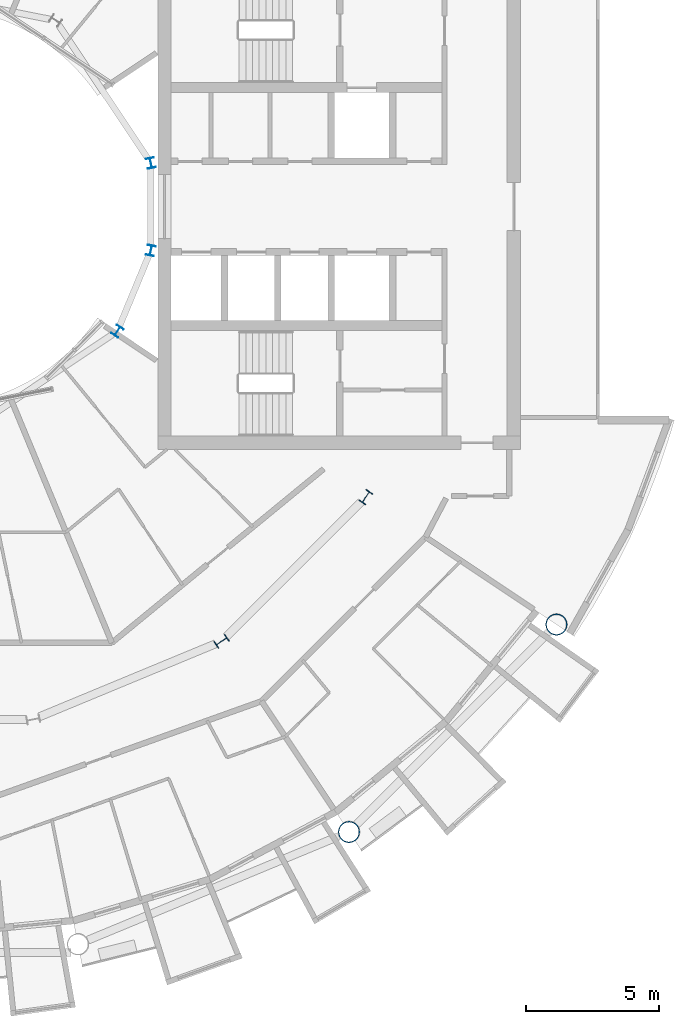
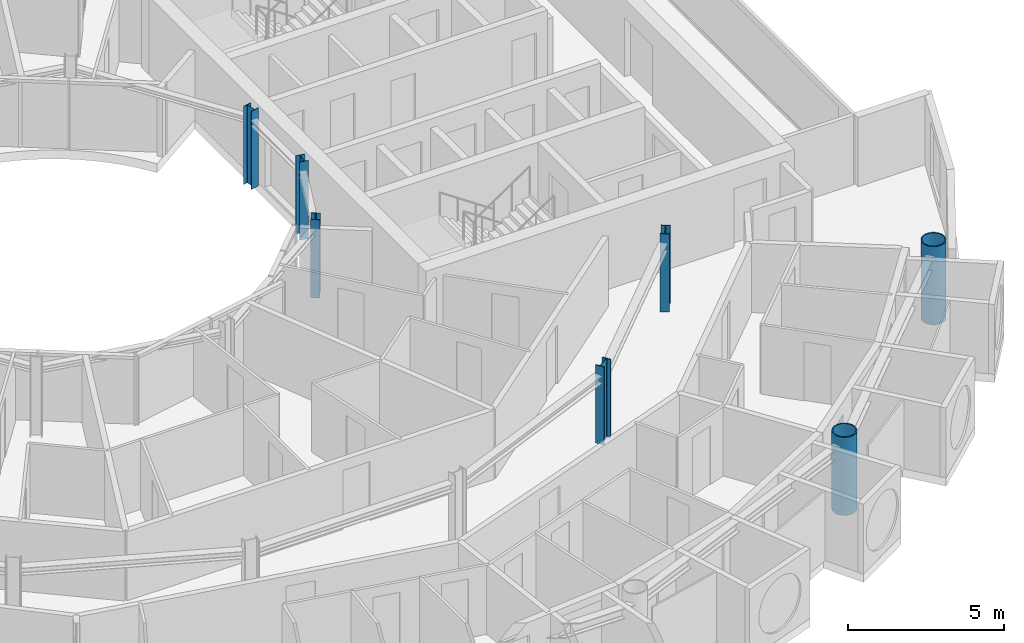
# One storey, part 2 of 28: 7 columns.
"""IFC4 building model written with IfcOpenShell, lengths in metres."""

from ifc_helpers import new_model, si_unit, direction, frame, origin, origin_2d, place, context, subcontext, project, spatial, hollow_circle, i_section, extrude, material, material_profile, profile_set, type_object, element, save


model = new_model("IFC4")

# Units and contexts
model_context = context("Model", 3, precision=1e-05, world=origin(), true_north=direction((0.0, 1.0)))
body_context = subcontext(model_context, "Body", "Model", "MODEL_VIEW")
ifc_project = project(units=[si_unit("LENGTHUNIT", "METRE"), si_unit("AREAUNIT", "SQUARE_METRE"), si_unit("VOLUMEUNIT", "CUBIC_METRE"), si_unit("PLANEANGLEUNIT", "RADIAN"), si_unit("MASSUNIT", "GRAM", prefix="KILO")], contexts=[model_context])

# Site, building, storey
site_placement = place(None, origin())
site = spatial("IfcSite", under=ifc_project, at=site_placement, CompositionType="ELEMENT")
building_placement = place(site_placement, origin())
building = spatial("IfcBuilding", under=site, at=building_placement, Name="Maasbend Ring Residences", CompositionType="ELEMENT")
storey_placement = place(building_placement, frame((0.0, 0.0, 173.800048828125)))
storey = spatial("IfcBuildingStorey", under=building, at=storey_placement, Name="L50", CompositionType="ELEMENT", Elevation=173.800048828125)

# Columns
ifc_material_1 = material(Name="Composite concrete-filled steel tube S460NH / C80/95", Category="concrete")
ifc_material_profile_1 = material_profile(ifc_material_1, hollow_circle(Radius=0.406494140625, WallThickness=0.0400390625, at=origin_2d()), Name="Composite tube column CHS 813x40")
ifc_profile_set_1 = profile_set([ifc_material_profile_1], Name="Composite concrete-filled steel tube S460NH / C80/95")
column_type_1 = type_object("IfcColumnType", Name="Composite tube column CHS 813x40", PredefinedType="COLUMN", material=ifc_profile_set_1)
for number, where, z_axis, x_axis, name in (
    (1, (15.6669921875, -23.447509765625, 0.0), (0.0, 0.0, 1.0), (1.0, 0.0, 0.0), "Outer column R14"),
    (2, (23.447509765625, -15.6669921875, 0.0), (0.0, 0.0, 1.0), (1.0, 0.0, 0.0), "Outer column R15"),
):
    element("IfcColumn", number, at=place(storey_placement, frame(where, z_axis=z_axis, x_axis=x_axis)), inside=storey, type_object=column_type_1, Name=name, PredefinedType="COLUMN", context=body_context, shape_type="SweptSolid", body=[
        extrude(hollow_circle(Radius=0.406494140625, WallThickness=0.0400390625, at=origin_2d()), origin(), (0.0, 0.0, 1.0), 3.050048828125),
    ])
ifc_material_2 = material(Name="Steel S355J2", Category="steel")
ifc_material_profile_2 = material_profile(ifc_material_2, i_section(OverallWidth=0.300048828125, OverallDepth=0.389892578125, WebThickness=0.010986328125, FlangeThickness=0.01904296875, FilletRadius=0.027099609375, at=origin_2d()), Name="HEA 400")
ifc_profile_set_2 = profile_set([ifc_material_profile_2], Name="Steel S355J2")
column_type_2 = type_object("IfcColumnType", Name="Steel column HEA 400", PredefinedType="COLUMN", material=ifc_profile_set_2)
for number, where, z_axis, x_axis, name in (
    (3, (8.238525390625, 1.638916015625, 0.0), (0.0, 0.0, 1.0), (0.980785280403, 0.195090322016, 0.0), "Well ring column R1"),
    (4, (6.984375, -4.666748046875, 0.0), (0.0, 0.0, 1.0), (0.831469612303, -0.55557023302, 0.0), "Well ring column R15"),
    (5, (8.238525390625, -1.638916015625, 0.0), (0.0, 0.0, 1.0), (0.980785280403, -0.195090322016, 0.0), "Well ring column R16"),
):
    element("IfcColumn", number, at=place(storey_placement, frame(where, z_axis=z_axis, x_axis=x_axis)), inside=storey, type_object=column_type_2, Name=name, PredefinedType="COLUMN", context=body_context, shape_type="SweptSolid", body=[
        extrude(i_section(OverallWidth=0.300048828125, OverallDepth=0.389892578125, WebThickness=0.010986328125, FlangeThickness=0.01904296875, FilletRadius=0.027099609375, at=origin_2d()), origin(), (0.0, 0.0, 1.0), 3.050048828125),
    ])
ifc_material_3 = material(Name="Steel S355J2", Category="steel")
ifc_material_profile_3 = material_profile(ifc_material_3, i_section(OverallWidth=0.300048828125, OverallDepth=0.5, WebThickness=0.014404296875, FlangeThickness=0.028076171875, FilletRadius=0.027099609375, at=origin_2d()), Name="HEB 500")
ifc_profile_set_3 = profile_set([ifc_material_profile_3], Name="Steel S355J2")
column_type_3 = type_object("IfcColumnType", Name="Steel column HEB 500", PredefinedType="COLUMN", material=ifc_profile_set_3)
for number, where, z_axis, x_axis, name in (
    (6, (10.88916015625, -16.296875, 0.0), (0.0, 0.0, 1.0), (0.55557023302, -0.831469612303, 0.0), "Corridor ring column R14"),
    (7, (16.296875, -10.88916015625, 0.0), (0.0, 0.0, 1.0), (0.831469612303, -0.55557023302, 0.0), "Corridor ring column R15"),
):
    element("IfcColumn", number, at=place(storey_placement, frame(where, z_axis=z_axis, x_axis=x_axis)), inside=storey, type_object=column_type_3, Name=name, PredefinedType="COLUMN", context=body_context, shape_type="SweptSolid", body=[
        extrude(i_section(OverallWidth=0.300048828125, OverallDepth=0.5, WebThickness=0.014404296875, FlangeThickness=0.028076171875, FilletRadius=0.027099609375, at=origin_2d()), origin(), (0.0, 0.0, 1.0), 3.050048828125),
    ])

save(model, "model.ifc")
